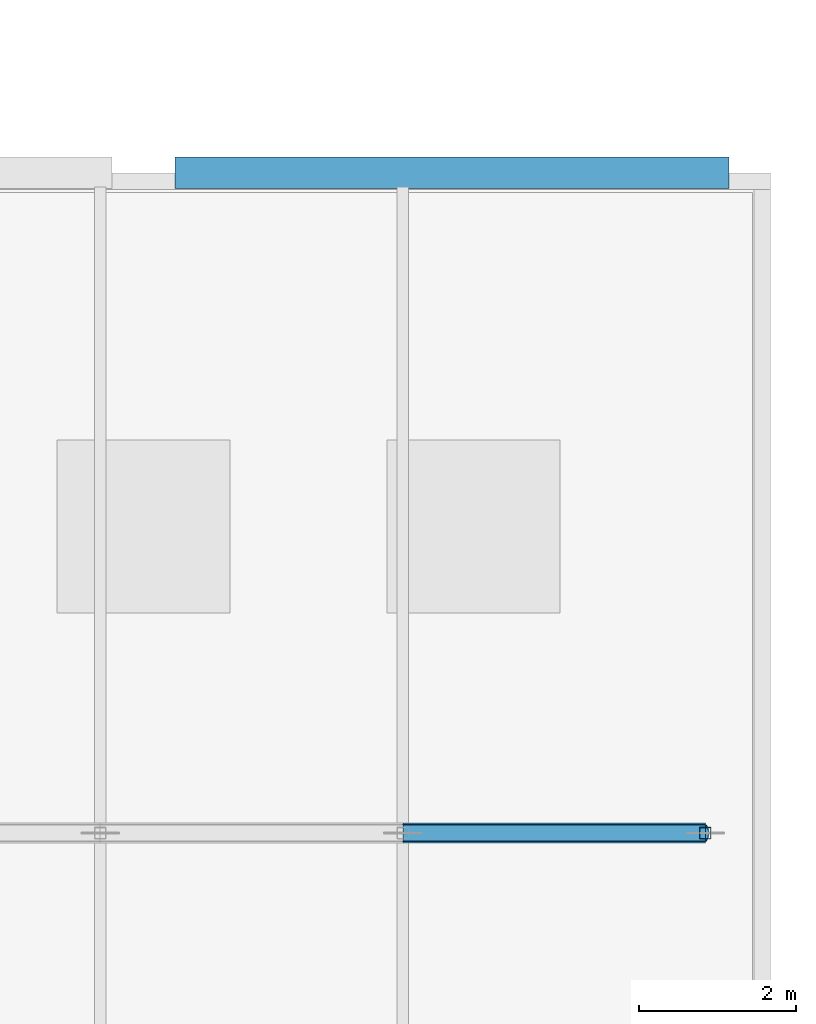
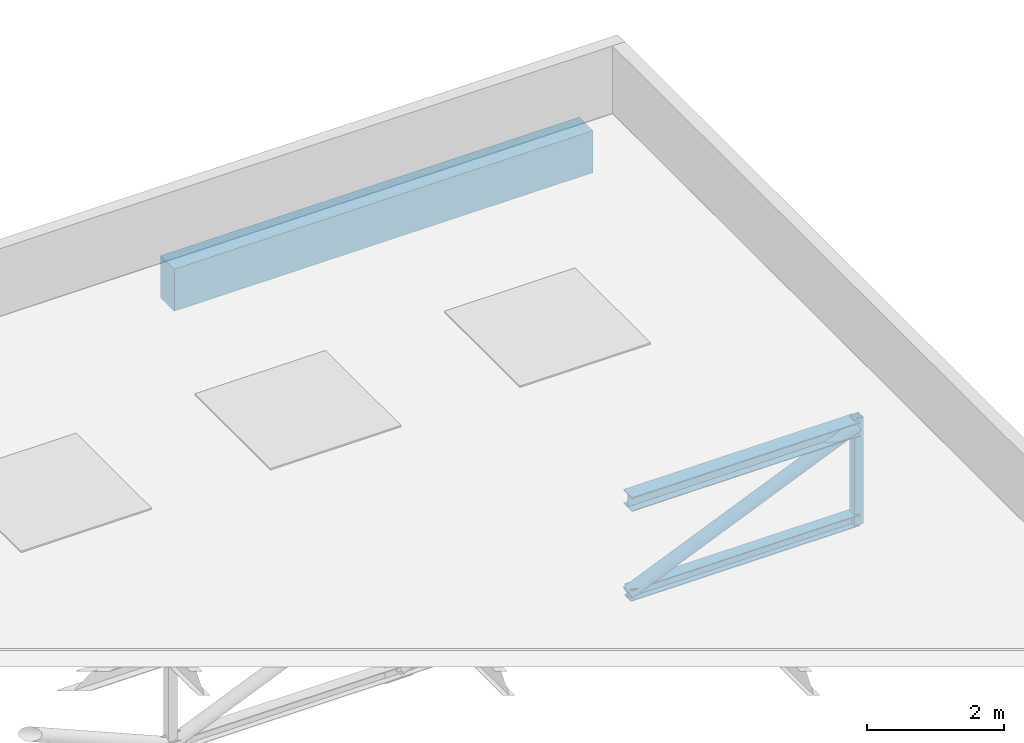
# One storey, part 20 of 38: 4 members, 1 beam.
"""IFC4 building model written with IfcOpenShell, lengths in metres."""

from ifc_helpers import new_model, si_unit, direction, frame, origin, origin_2d, place, context, subcontext, project, spatial, rectangle, hollow_rectangle, hollow_circle, i_section, extrude, material, material_profile, profile_set, type_object, element, save


model = new_model("IFC4")

# Units and contexts
model_context = context("Model", 3, precision=1e-05, world=origin(), true_north=direction((0.0, 1.0)))
body_context = subcontext(model_context, "Body", "Model", "MODEL_VIEW")
ifc_project = project(units=[si_unit("LENGTHUNIT", "METRE"), si_unit("AREAUNIT", "SQUARE_METRE"), si_unit("VOLUMEUNIT", "CUBIC_METRE"), si_unit("PLANEANGLEUNIT", "RADIAN"), si_unit("MASSUNIT", "GRAM", prefix="KILO")], contexts=[model_context])

# Site, building, storey
site_placement = place(None, origin())
site = spatial("IfcSite", under=ifc_project, at=site_placement, CompositionType="ELEMENT")
building_placement = place(site_placement, origin())
building = spatial("IfcBuilding", under=site, at=building_placement, Name="Brinegate Botanical Conservatory", CompositionType="ELEMENT")
storey_placement = place(building_placement, frame((0.0, 0.0, 10.199951171875)))
storey = spatial("IfcBuildingStorey", under=building, at=storey_placement, Name="L03", CompositionType="ELEMENT", Elevation=10.199951171875)

# Beam
ifc_material_1 = material(Name="Concrete C50/60", Category="concrete")
ifc_material_profile_1 = material_profile(ifc_material_1, rectangle(XDim=0.39990234375, YDim=0.75, at=origin_2d()), Name="RC BM 400x750")
ifc_profile_set_1 = profile_set([ifc_material_profile_1], Name="Concrete C50/60")
beam_type = type_object("IfcBeamType", Name="Beam_BM-T1", PredefinedType="BEAM", material=ifc_profile_set_1)
beam_placement = place(storey_placement, frame((156.0, 42.0, -0.574951171875), z_axis=(1.0, 0.0, 0.0), x_axis=(0.0, 1.0, 0.0)))
element("IfcBeam", 1, at=beam_placement, inside=storey, type_object=beam_type, Name="Beam BM-T1 L03 F:20-21", PredefinedType="BEAM", context=body_context, shape_type="SweptSolid", body=[
    extrude(rectangle(XDim=0.39990234375, YDim=0.75, at=origin_2d()), origin(), (0.0, 0.0, 1.0), 7.050048828125),
])

# Members
ifc_material_2 = material(Name="Structural steel Q355B / S355", Category="steel")
ifc_material_profile_2 = material_profile(ifc_material_2, hollow_circle(Radius=0.109619140625, WallThickness=0.010009765625, at=origin_2d()), Name="CHS 219x10")
ifc_profile_set_2 = profile_set([ifc_material_profile_2], Name="Structural steel Q355B / S355")
member_type_1 = type_object("IfcMemberType", Name="Member_TB-01", PredefinedType="BRACE", material=ifc_profile_set_2)
member_1_placement = place(storey_placement, frame((158.89990234375, 33.60009765625, -2.0), z_axis=(0.919999828954, 0.0, 0.391918760362), x_axis=(0.0, 1.0, 0.0)))
element("IfcMember", 2, at=member_1_placement, inside=storey, type_object=member_type_1, Name="Auditorium roof truss 4 web diagonal 6", PredefinedType="BRACE", context=body_context, shape_type="SweptSolid", body=[
    extrude(hollow_circle(Radius=0.109619140625, WallThickness=0.010009765625, at=origin_2d()), origin(), (0.0, 0.0, 1.0), 4.184814453125),
])
ifc_material_profile_3 = material_profile(ifc_material_2, i_section(OverallWidth=0.25, OverallDepth=0.25, WebThickness=0.009033203125, FlangeThickness=0.013916015625, at=origin_2d()), Name="HW 250x250x9x14")
ifc_profile_set_3 = profile_set([ifc_material_profile_3], Name="Structural steel Q355B / S355")
member_type_2 = type_object("IfcMemberType", Name="Member_TC-01", PredefinedType="CHORD", material=ifc_profile_set_3)
member_2_placement = place(storey_placement, frame((158.89990234375, 33.60009765625, -0.35986328125), z_axis=(1.0, 0.0, 0.0), x_axis=(0.0, 1.0, 0.0)))
element("IfcMember", 3, at=member_2_placement, inside=storey, type_object=member_type_2, Name="Auditorium roof truss 4 top chord 6", PredefinedType="CHORD", context=body_context, shape_type="SweptSolid", body=[
    extrude(i_section(OverallWidth=0.25, OverallDepth=0.25, WebThickness=0.009033203125, FlangeThickness=0.013916015625, at=origin_2d()), origin(), (0.0, 0.0, 1.0), 3.85009765625),
])
ifc_material_profile_4 = material_profile(ifc_material_2, i_section(OverallWidth=0.199951171875, OverallDepth=0.199951171875, WebThickness=0.008056640625, FlangeThickness=0.011962890625, at=origin_2d()), Name="HW 200x200x8x12")
ifc_profile_set_4 = profile_set([ifc_material_profile_4], Name="Structural steel Q355B / S355")
member_type_3 = type_object("IfcMemberType", Name="Member_TC-02", PredefinedType="CHORD", material=ifc_profile_set_4)
member_3_placement = place(storey_placement, frame((158.89990234375, 33.60009765625, -2.0), z_axis=(1.0, 0.0, 0.0), x_axis=(0.0, 1.0, 0.0)))
element("IfcMember", 4, at=member_3_placement, inside=storey, type_object=member_type_3, Name="Auditorium roof truss 4 bottom chord 6", PredefinedType="CHORD", context=body_context, shape_type="SweptSolid", body=[
    extrude(i_section(OverallWidth=0.199951171875, OverallDepth=0.199951171875, WebThickness=0.008056640625, FlangeThickness=0.011962890625, at=origin_2d()), origin(), (0.0, 0.0, 1.0), 3.85009765625),
])
ifc_material_profile_5 = material_profile(ifc_material_2, hollow_rectangle(XDim=0.14990234375, YDim=0.14990234375, WallThickness=0.008056640625, at=origin_2d()), Name="SHS 150x150x8")
ifc_profile_set_5 = profile_set([ifc_material_profile_5], Name="Structural steel Q355B / S355")
member_type_4 = type_object("IfcMemberType", Name="Member_TS-01", PredefinedType="STRUT", material=ifc_profile_set_5)
member_4_placement = place(storey_placement, frame((162.75, 33.60009765625, -2.099853515625), z_axis=(0.0, 0.0, 1.0), x_axis=(1.0, 0.0, 0.0)))
element("IfcMember", 5, at=member_4_placement, inside=storey, type_object=member_type_4, Name="Auditorium roof truss 4 vertical strut 7", PredefinedType="STRUT", context=body_context, shape_type="SweptSolid", body=[
    extrude(hollow_rectangle(XDim=0.14990234375, YDim=0.14990234375, WallThickness=0.008056640625, at=origin_2d()), origin(), (0.0, 0.0, 1.0), 1.89990234375),
])

save(model, "model.ifc")
